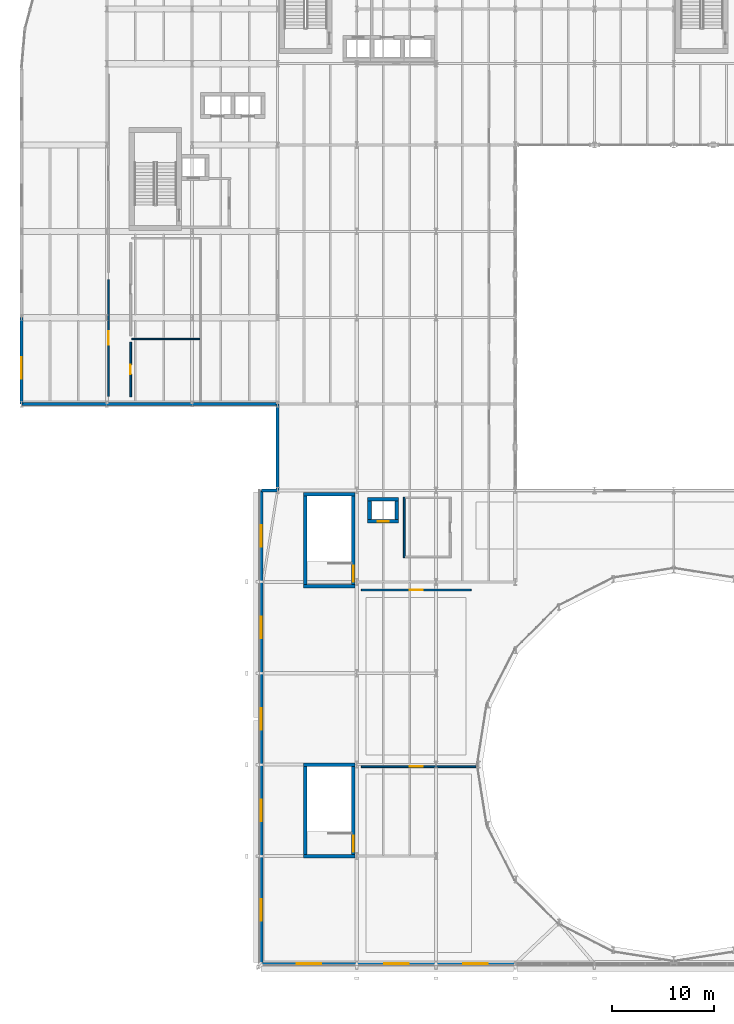
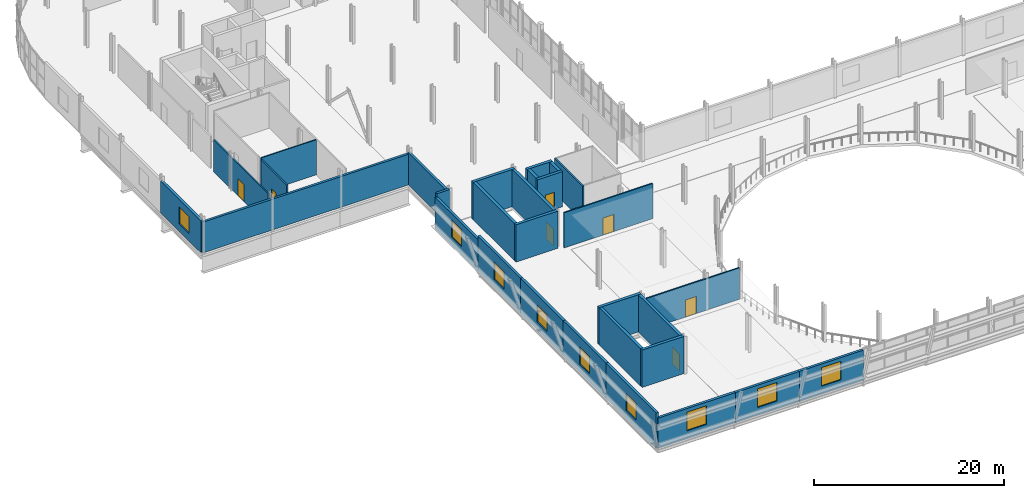
# One storey, part 47 of 63: 30 walls, 9 windows, 7 doors, 16 openings.
"""IFC4 building model written with IfcOpenShell, lengths in metres."""

from ifc_helpers import new_model, si_unit, direction, frame, frame_2d, origin, place, context, subcontext, project, spatial, rectangle, extrude, material, layer, layer_set, type_object, element, fill, save


model = new_model("IFC4")

# Units and contexts
model_context = context("Model", 3, precision=1e-05, world=origin(), true_north=direction((0.0, 1.0)))
body_context = subcontext(model_context, "Body", "Model", "MODEL_VIEW")
ifc_project = project(units=[si_unit("LENGTHUNIT", "METRE"), si_unit("AREAUNIT", "SQUARE_METRE"), si_unit("VOLUMEUNIT", "CUBIC_METRE"), si_unit("PLANEANGLEUNIT", "RADIAN"), si_unit("MASSUNIT", "GRAM", prefix="KILO")], contexts=[model_context])

# Site, building, storey
site_placement = place(None, origin())
site = spatial("IfcSite", under=ifc_project, at=site_placement, CompositionType="ELEMENT")
building_placement = place(site_placement, origin())
building = spatial("IfcBuilding", under=site, at=building_placement, Name="Sefraquen Railside Congress Hotel", CompositionType="ELEMENT")
storey_placement = place(building_placement, frame((0.0, 0.0, 11.39990234375)))
storey = spatial("IfcBuildingStorey", under=building, at=storey_placement, Name="L02", CompositionType="ELEMENT", Elevation=11.39990234375)

# Walls
ifc_material_1 = material(Name="Concrete C50/60", Category="concrete")
ifc_layer_1 = layer(ifc_material_1, 0.35009765625)
ifc_layer_set_1 = layer_set([ifc_layer_1], Name="Concrete C50/60")
wall_type_1 = type_object("IfcWallType", Name="TW-CW-350", PredefinedType="SHEAR", material=ifc_layer_set_1)
for number, where, z_axis, x_axis, name in (
    (1, (27.75, 27.014892578125, 0.0), (0.0, 0.0, 1.0), (1.0, 0.0, 0.0), "Core shear wall ST-C01 N L02"),
    (2, (27.75, 17.985107421875, 0.0), (0.0, 0.0, 1.0), (1.0, 0.0, 0.0), "Core shear wall ST-C01 S L02"),
):
    element("IfcWall", number, at=place(storey_placement, frame(where, z_axis=z_axis, x_axis=x_axis)), inside=storey, type_object=wall_type_1, Name=name, PredefinedType="SHEAR", context=body_context, shape_type="SweptSolid", body=[
        extrude(rectangle(XDim=5.10009765625, YDim=0.35009765625, at=frame_2d((2.550048828125, 0.0))), origin(), (0.0, 0.0, 1.0), 4.800048828125),
    ])
wall_1_placement = place(storey_placement, frame((27.925048828125, 18.159912109375, 0.0), z_axis=(0.0, 0.0, 1.0), x_axis=(0.0, 1.0, 0.0)))
element("IfcWall", 3, at=wall_1_placement, inside=storey, type_object=wall_type_1, Name="Core shear wall ST-C01 W L02", PredefinedType="SHEAR", context=body_context, shape_type="SweptSolid", body=[
    extrude(rectangle(XDim=8.68017578125, YDim=0.35009765625, at=frame_2d((4.340087890625, 0.0))), origin(), (0.0, 0.0, 1.0), 4.800048828125),
])

# Wall, opening, door
wall_2_placement = place(storey_placement, frame((32.675048828125, 18.159912109375, 0.0), z_axis=(0.0, 0.0, 1.0), x_axis=(0.0, 1.0, 0.0)))
wall_2 = element("IfcWall", 4, at=wall_2_placement, inside=storey, type_object=wall_type_1, Name="Core shear wall ST-C01 E L02", PredefinedType="SHEAR", context=body_context, shape_type="SweptSolid", body=[
    extrude(rectangle(XDim=8.68017578125, YDim=0.35009765625, at=frame_2d((4.340087890625, 0.0))), origin(), (0.0, 0.0, 1.0), 4.800048828125),
])
opening_1_placement = place(wall_2_placement, frame((0.25, 0.0, 0.0)))
opening_1 = element("IfcOpeningElement", 5, at=opening_1_placement, cuts=wall_2, Name="Opening FD-02", PredefinedType="OPENING", context=body_context, shape_type="SweptSolid", body=[
    extrude(rectangle(XDim=1.60009765625, YDim=2.199951171875, at=frame_2d((0.800048828125, 1.10009765625))), frame((0.0, 0.18505859375, 0.0), z_axis=(0.0, -1.0, 0.0), x_axis=(1.0, 0.0, 0.0)), (0.0, 0.0, 1.0), 0.3701171875),
])
ifc_material_2 = material(Name="Fire-rated steel", Category="steel")
door_type_1 = type_object("IfcDoorType", Name="TD-FD-02", OperationType="NOTDEFINED", PredefinedType="DOOR", material=ifc_material_2)
door_1_placement = place(opening_1_placement, origin())
door_1 = element("IfcDoor", 6, at=door_1_placement, inside=storey, type_object=door_type_1, Name="Pressurized stair ST-C01 fire door L02", OperationType="SINGLE_SWING_RIGHT", OverallHeight=2.199951171875, OverallWidth=1.60009765625, PredefinedType="DOOR", context=body_context, shape_type="SweptSolid", body=[
    extrude(rectangle(XDim=1.60009765625, YDim=2.199951171875, at=frame_2d((0.800048828125, 1.10009765625))), frame((0.0, 0.02490234375, 0.0), z_axis=(0.0, -1.0, 0.0), x_axis=(1.0, 0.0, 0.0)), (0.0, 0.0, 1.0), 0.050048828125),
])
fill(opening_1, door_1)

# Walls
for number, where, z_axis, x_axis, name in (
    (7, (27.75, 53.60498046875, 0.0), (0.0, 0.0, 1.0), (1.0, 0.0, 0.0), "Core shear wall ST-C02 N L02"),
    (8, (27.75, 44.574951171875, 0.0), (0.0, 0.0, 1.0), (1.0, 0.0, 0.0), "Core shear wall ST-C02 S L02"),
):
    element("IfcWall", number, at=place(storey_placement, frame(where, z_axis=z_axis, x_axis=x_axis)), inside=storey, type_object=wall_type_1, Name=name, PredefinedType="SHEAR", context=body_context, shape_type="SweptSolid", body=[
        extrude(rectangle(XDim=5.10009765625, YDim=0.35009765625, at=frame_2d((2.550048828125, 0.0))), origin(), (0.0, 0.0, 1.0), 4.800048828125),
    ])
wall_3_placement = place(storey_placement, frame((27.925048828125, 44.75, 0.0), z_axis=(0.0, 0.0, 1.0), x_axis=(0.0, 1.0, 0.0)))
element("IfcWall", 9, at=wall_3_placement, inside=storey, type_object=wall_type_1, Name="Core shear wall ST-C02 W L02", PredefinedType="SHEAR", context=body_context, shape_type="SweptSolid", body=[
    extrude(rectangle(XDim=8.679931640625, YDim=0.35009765625, at=frame_2d((4.33984375, 0.0))), origin(), (0.0, 0.0, 1.0), 4.800048828125),
])

# Wall, opening, door
wall_4_placement = place(storey_placement, frame((32.675048828125, 44.75, 0.0), z_axis=(0.0, 0.0, 1.0), x_axis=(0.0, 1.0, 0.0)))
wall_4 = element("IfcWall", 10, at=wall_4_placement, inside=storey, type_object=wall_type_1, Name="Core shear wall ST-C02 E L02", PredefinedType="SHEAR", context=body_context, shape_type="SweptSolid", body=[
    extrude(rectangle(XDim=8.679931640625, YDim=0.35009765625, at=frame_2d((4.33984375, 0.0))), origin(), (0.0, 0.0, 1.0), 4.800048828125),
])
opening_2_placement = place(wall_4_placement, frame((0.25, 0.0, 0.0)))
opening_2 = element("IfcOpeningElement", 11, at=opening_2_placement, cuts=wall_4, Name="Opening FD-02", PredefinedType="OPENING", context=body_context, shape_type="SweptSolid", body=[
    extrude(rectangle(XDim=1.60009765625, YDim=2.199951171875, at=frame_2d((0.800048828125, 1.10009765625))), frame((0.0, 0.18505859375, 0.0), z_axis=(0.0, -1.0, 0.0), x_axis=(1.0, 0.0, 0.0)), (0.0, 0.0, 1.0), 0.3701171875),
])
door_2_placement = place(opening_2_placement, origin())
door_2 = element("IfcDoor", 12, at=door_2_placement, inside=storey, type_object=door_type_1, Name="Pressurized stair ST-C02 fire door L02", OperationType="SINGLE_SWING_RIGHT", OverallHeight=2.199951171875, OverallWidth=1.60009765625, PredefinedType="DOOR", context=body_context, shape_type="SweptSolid", body=[
    extrude(rectangle(XDim=1.60009765625, YDim=2.199951171875, at=frame_2d((0.800048828125, 1.10009765625))), frame((0.0, 0.02490234375, 0.0), z_axis=(0.0, -1.0, 0.0), x_axis=(1.0, 0.0, 0.0)), (0.0, 0.0, 1.0), 0.050048828125),
])
fill(opening_2, door_2)

# Wall
wall_5_placement = place(storey_placement, frame((34.080078125, 53.14501953125, 0.0), z_axis=(0.0, 0.0, 1.0), x_axis=(1.0, 0.0, 0.0)))
element("IfcWall", 13, at=wall_5_placement, inside=storey, type_object=wall_type_1, Name="Lift PL-08 shaft wall N L02", PredefinedType="SHEAR", context=body_context, shape_type="SweptSolid", body=[
    extrude(rectangle(XDim=3.0400390625, YDim=0.35009765625, at=frame_2d((1.52001953125, 0.0))), origin(), (0.0, 0.0, 1.0), 4.52001953125),
])

# Wall, opening, door
wall_6_placement = place(storey_placement, frame((34.080078125, 50.955078125, 0.0), z_axis=(0.0, 0.0, 1.0), x_axis=(1.0, 0.0, 0.0)))
wall_6 = element("IfcWall", 14, at=wall_6_placement, inside=storey, type_object=wall_type_1, Name="Lift PL-08 shaft wall S L02", PredefinedType="SHEAR", context=body_context, shape_type="SweptSolid", body=[
    extrude(rectangle(XDim=3.0400390625, YDim=0.35009765625, at=frame_2d((1.52001953125, 0.0))), origin(), (0.0, 0.0, 1.0), 4.52001953125),
])
opening_3_placement = place(wall_6_placement, frame((0.969970703125, 0.0, 0.0)))
opening_3 = element("IfcOpeningElement", 15, at=opening_3_placement, cuts=wall_6, Name="Opening LD-01", PredefinedType="OPENING", context=body_context, shape_type="SweptSolid", body=[
    extrude(rectangle(XDim=1.10009765625, YDim=2.199951171875, at=frame_2d((0.550048828125, 1.10009765625))), frame((0.0, 0.18505859375, 0.0), z_axis=(0.0, -1.0, 0.0), x_axis=(1.0, 0.0, 0.0)), (0.0, 0.0, 1.0), 0.3701171875),
])
ifc_material_3 = material(Name="Brushed bronze stainless steel", Category="steel")
door_type_2 = type_object("IfcDoorType", Name="TD-LD-01", OperationType="NOTDEFINED", PredefinedType="DOOR", material=ifc_material_3)
door_3_placement = place(opening_3_placement, origin())
door_3 = element("IfcDoor", 16, at=door_3_placement, inside=storey, type_object=door_type_2, Name="Lift landing door PL-08 L02", OperationType="SLIDING_TO_LEFT", OverallHeight=2.199951171875, OverallWidth=1.10009765625, PredefinedType="DOOR", context=body_context, shape_type="SweptSolid", body=[
    extrude(rectangle(XDim=1.10009765625, YDim=2.199951171875, at=frame_2d((0.550048828125, 1.10009765625))), frame((0.0, 0.02490234375, 0.0), z_axis=(0.0, -1.0, 0.0), x_axis=(1.0, 0.0, 0.0)), (0.0, 0.0, 1.0), 0.050048828125),
])
fill(opening_3, door_3)

# Walls
for number, where, z_axis, x_axis, name in (
    (17, (34.2548828125, 51.1298828125, 0.0), (0.0, 0.0, 1.0), (0.0, 1.0, 0.0), "Lift PL-08 shaft wall W L02"),
    (18, (36.945068359375, 51.1298828125, 0.0), (0.0, 0.0, 1.0), (0.0, 1.0, 0.0), "Lift PL-08 shaft wall E L02"),
):
    element("IfcWall", number, at=place(storey_placement, frame(where, z_axis=z_axis, x_axis=x_axis)), inside=storey, type_object=wall_type_1, Name=name, PredefinedType="SHEAR", context=body_context, shape_type="SweptSolid", body=[
        extrude(rectangle(XDim=1.840087890625, YDim=0.35009765625, at=frame_2d((0.919921875, 0.0))), origin(), (0.0, 0.0, 1.0), 4.52001953125),
    ])
ifc_material_4 = material(Name="Ochre Rabat calcarenite limestone and Concrete C40/50 backing", Category="masonry")
ifc_layer_2 = layer(ifc_material_4, 0.280029296875)
ifc_layer_set_2 = layer_set([ifc_layer_2], Name="Ochre Rabat calcarenite limestone and Concrete C40/50 backing")
wall_type_2 = type_object("IfcWallType", Name="TW-EW-280", PredefinedType="STANDARD", material=ifc_layer_set_2)
wall_7_placement = place(storey_placement, frame((0.0, 62.5, 0.0), z_axis=(0.0, 0.0, 1.0), x_axis=(1.0, 0.0, 0.0)))
element("IfcWall", 19, at=wall_7_placement, inside=storey, type_object=wall_type_2, Name="Hotel L02 south-west return wall", PredefinedType="STANDARD", context=body_context, shape_type="SweptSolid", body=[
    extrude(rectangle(XDim=25.199951171875, YDim=0.280029296875, at=frame_2d((12.60009765625, 0.0))), origin(), (0.0, 0.0, 1.0), 3.960205078125),
])

# Wall, opening, window
ifc_layer_3 = layer(ifc_material_4, 0.300048828125)
ifc_layer_set_3 = layer_set([ifc_layer_3], Name="Ochre Rabat calcarenite limestone and Concrete C40/50 backing")
wall_type_3 = type_object("IfcWallType", Name="TW-EW-300", PredefinedType="STANDARD", material=ifc_layer_set_3)
wall_8_placement = place(storey_placement, frame((23.600341796875, 7.400390625, 0.0), z_axis=(0.0, 0.0, 1.0), x_axis=(1.0, 0.0, 0.0)))
wall_8 = element("IfcWall", 20, at=wall_8_placement, inside=storey, type_object=wall_type_3, Name="Congress Hall L02 south spandrel wall 1", PredefinedType="STANDARD", context=body_context, shape_type="SweptSolid", body=[
    extrude(rectangle(XDim=9.399658203125, YDim=0.300048828125, at=frame_2d((4.69970703125, 0.0))), origin(), (0.0, 0.0, 1.0), 3.91015625),
])
opening_4_placement = place(wall_8_placement, frame((3.5, 0.0, 1.050048828125)))
opening_4 = element("IfcOpeningElement", 21, at=opening_4_placement, cuts=wall_8, Name="Opening WN-09", PredefinedType="OPENING", context=body_context, shape_type="SweptSolid", body=[
    extrude(rectangle(XDim=2.39990234375, YDim=2.39990234375, at=frame_2d((1.199951171875, 1.199951171875))), frame((0.0, 0.159912109375, 0.0), z_axis=(0.0, -1.0, 0.0), x_axis=(1.0, 0.0, 0.0)), (0.0, 0.0, 1.0), 0.320068359375),
])
ifc_material_5 = material(Name="Solar-control low-E double glazing in bronze-anodised frame", Category="glass")
window_type_1 = type_object("IfcWindowType", Name="TWN-W-09", PartitioningType="DOUBLE_PANEL_VERTICAL", PredefinedType="WINDOW", material=ifc_material_5)
window_1_placement = place(opening_4_placement, origin())
window_1 = element("IfcWindow", 22, at=window_1_placement, inside=storey, type_object=window_type_1, Name="Congress south arched window L02-1", OverallHeight=2.39990234375, OverallWidth=2.39990234375, PartitioningType="DOUBLE_PANEL_VERTICAL", PredefinedType="WINDOW", context=body_context, shape_type="SweptSolid", body=[
    extrude(rectangle(XDim=2.39990234375, YDim=2.39990234375, at=frame_2d((1.199951171875, 1.199951171875))), frame((0.0, 0.030029296875, 0.0), z_axis=(0.0, -1.0, 0.0), x_axis=(1.0, 0.0, 0.0)), (0.0, 0.0, 1.0), 0.06005859375),
])
fill(opening_4, window_1)

wall_9_placement = place(storey_placement, frame((33.0, 7.400390625, 0.0), z_axis=(0.0, 0.0, 1.0), x_axis=(1.0, 0.0, 0.0)))
wall_9 = element("IfcWall", 23, at=wall_9_placement, inside=storey, type_object=wall_type_3, Name="Congress Hall L02 south spandrel wall 2", PredefinedType="STANDARD", context=body_context, shape_type="SweptSolid", body=[
    extrude(rectangle(XDim=7.800048828125, YDim=0.300048828125, at=frame_2d((3.89990234375, 0.0))), origin(), (0.0, 0.0, 1.0), 3.91015625),
])
opening_5_placement = place(wall_9_placement, frame((2.699951171875, 0.0, 1.050048828125)))
opening_5 = element("IfcOpeningElement", 24, at=opening_5_placement, cuts=wall_9, Name="Opening WN-09", PredefinedType="OPENING", context=body_context, shape_type="SweptSolid", body=[
    extrude(rectangle(XDim=2.39990234375, YDim=2.39990234375, at=frame_2d((1.199951171875, 1.199951171875))), frame((0.0, 0.159912109375, 0.0), z_axis=(0.0, -1.0, 0.0), x_axis=(1.0, 0.0, 0.0)), (0.0, 0.0, 1.0), 0.320068359375),
])
window_2_placement = place(opening_5_placement, origin())
window_2 = element("IfcWindow", 25, at=window_2_placement, inside=storey, type_object=window_type_1, Name="Congress south arched window L02-2", OverallHeight=2.39990234375, OverallWidth=2.39990234375, PartitioningType="DOUBLE_PANEL_VERTICAL", PredefinedType="WINDOW", context=body_context, shape_type="SweptSolid", body=[
    extrude(rectangle(XDim=2.39990234375, YDim=2.39990234375, at=frame_2d((1.199951171875, 1.199951171875))), frame((0.0, 0.030029296875, 0.0), z_axis=(0.0, -1.0, 0.0), x_axis=(1.0, 0.0, 0.0)), (0.0, 0.0, 1.0), 0.06005859375),
])
fill(opening_5, window_2)

wall_10_placement = place(storey_placement, frame((40.800048828125, 7.400390625, 0.0), z_axis=(0.0, 0.0, 1.0), x_axis=(1.0, 0.0, 0.0)))
wall_10 = element("IfcWall", 26, at=wall_10_placement, inside=storey, type_object=wall_type_3, Name="Congress Hall L02 south spandrel wall 3", PredefinedType="STANDARD", context=body_context, shape_type="SweptSolid", body=[
    extrude(rectangle(XDim=7.800048828125, YDim=0.300048828125, at=frame_2d((3.89990234375, 0.0))), origin(), (0.0, 0.0, 1.0), 3.91015625),
])
opening_6_placement = place(wall_10_placement, frame((2.699951171875, 0.0, 1.050048828125)))
opening_6 = element("IfcOpeningElement", 27, at=opening_6_placement, cuts=wall_10, Name="Opening WN-09", PredefinedType="OPENING", context=body_context, shape_type="SweptSolid", body=[
    extrude(rectangle(XDim=2.39990234375, YDim=2.39990234375, at=frame_2d((1.199951171875, 1.199951171875))), frame((0.0, 0.159912109375, 0.0), z_axis=(0.0, -1.0, 0.0), x_axis=(1.0, 0.0, 0.0)), (0.0, 0.0, 1.0), 0.320068359375),
])
window_3_placement = place(opening_6_placement, origin())
window_3 = element("IfcWindow", 28, at=window_3_placement, inside=storey, type_object=window_type_1, Name="Congress south arched window L02-3", OverallHeight=2.39990234375, OverallWidth=2.39990234375, PartitioningType="DOUBLE_PANEL_VERTICAL", PredefinedType="WINDOW", context=body_context, shape_type="SweptSolid", body=[
    extrude(rectangle(XDim=2.39990234375, YDim=2.39990234375, at=frame_2d((1.199951171875, 1.199951171875))), frame((0.0, 0.030029296875, 0.0), z_axis=(0.0, -1.0, 0.0), x_axis=(1.0, 0.0, 0.0)), (0.0, 0.0, 1.0), 0.06005859375),
])
fill(opening_6, window_3)

wall_11_placement = place(storey_placement, frame((23.600341796875, 7.400390625, 0.0), z_axis=(0.0, 0.0, 1.0), x_axis=(0.0, 1.0, 0.0)))
wall_11 = element("IfcWall", 29, at=wall_11_placement, inside=storey, type_object=wall_type_3, Name="Congress Hall L02 west facade wall 1", PredefinedType="STANDARD", context=body_context, shape_type="SweptSolid", body=[
    extrude(rectangle(XDim=10.599609375, YDim=0.300048828125, at=frame_2d((5.2998046875, 0.0))), origin(), (0.0, 0.0, 1.0), 4.5400390625),
])
opening_7_placement = place(wall_11_placement, frame((4.25, 0.0, 1.050048828125)))
opening_7 = element("IfcOpeningElement", 30, at=opening_7_placement, cuts=wall_11, Name="Opening WN-07", PredefinedType="OPENING", context=body_context, shape_type="SweptSolid", body=[
    extrude(rectangle(XDim=2.10009765625, YDim=2.199951171875, at=frame_2d((1.050048828125, 1.10009765625))), frame((0.0, 0.159912109375, 0.0), z_axis=(0.0, -1.0, 0.0), x_axis=(1.0, 0.0, 0.0)), (0.0, 0.0, 1.0), 0.320068359375),
])
window_type_2 = type_object("IfcWindowType", Name="TWN-W-07", PartitioningType="DOUBLE_PANEL_VERTICAL", PredefinedType="WINDOW", material=ifc_material_5)
window_4_placement = place(opening_7_placement, origin())
window_4 = element("IfcWindow", 31, at=window_4_placement, inside=storey, type_object=window_type_2, Name="Congress west arched window L02-1", OverallHeight=2.199951171875, OverallWidth=2.10009765625, PartitioningType="DOUBLE_PANEL_VERTICAL", PredefinedType="WINDOW", context=body_context, shape_type="SweptSolid", body=[
    extrude(rectangle(XDim=2.10009765625, YDim=2.199951171875, at=frame_2d((1.050048828125, 1.10009765625))), frame((0.0, 0.030029296875, 0.0), z_axis=(0.0, -1.0, 0.0), x_axis=(1.0, 0.0, 0.0)), (0.0, 0.0, 1.0), 0.06005859375),
])
fill(opening_7, window_4)

wall_12_placement = place(storey_placement, frame((23.600341796875, 18.0, 0.0), z_axis=(0.0, 0.0, 1.0), x_axis=(0.0, 1.0, 0.0)))
wall_12 = element("IfcWall", 32, at=wall_12_placement, inside=storey, type_object=wall_type_3, Name="Congress Hall L02 west facade wall 2", PredefinedType="STANDARD", context=body_context, shape_type="SweptSolid", body=[
    extrude(rectangle(XDim=9.0, YDim=0.300048828125, at=frame_2d((4.5, 0.0))), origin(), (0.0, 0.0, 1.0), 4.5400390625),
])
opening_8_placement = place(wall_12_placement, frame((3.449951171875, 0.0, 1.050048828125)))
opening_8 = element("IfcOpeningElement", 33, at=opening_8_placement, cuts=wall_12, Name="Opening WN-07", PredefinedType="OPENING", context=body_context, shape_type="SweptSolid", body=[
    extrude(rectangle(XDim=2.10009765625, YDim=2.199951171875, at=frame_2d((1.050048828125, 1.10009765625))), frame((0.0, 0.159912109375, 0.0), z_axis=(0.0, -1.0, 0.0), x_axis=(1.0, 0.0, 0.0)), (0.0, 0.0, 1.0), 0.320068359375),
])
window_5_placement = place(opening_8_placement, origin())
window_5 = element("IfcWindow", 34, at=window_5_placement, inside=storey, type_object=window_type_2, Name="Congress west arched window L02-2", OverallHeight=2.199951171875, OverallWidth=2.10009765625, PartitioningType="DOUBLE_PANEL_VERTICAL", PredefinedType="WINDOW", context=body_context, shape_type="SweptSolid", body=[
    extrude(rectangle(XDim=2.10009765625, YDim=2.199951171875, at=frame_2d((1.050048828125, 1.10009765625))), frame((0.0, 0.030029296875, 0.0), z_axis=(0.0, -1.0, 0.0), x_axis=(1.0, 0.0, 0.0)), (0.0, 0.0, 1.0), 0.06005859375),
])
fill(opening_8, window_5)

wall_13_placement = place(storey_placement, frame((23.600341796875, 27.0, 0.0), z_axis=(0.0, 0.0, 1.0), x_axis=(0.0, 1.0, 0.0)))
wall_13 = element("IfcWall", 35, at=wall_13_placement, inside=storey, type_object=wall_type_3, Name="Congress Hall L02 west facade wall 3", PredefinedType="STANDARD", context=body_context, shape_type="SweptSolid", body=[
    extrude(rectangle(XDim=9.0, YDim=0.300048828125, at=frame_2d((4.5, 0.0))), origin(), (0.0, 0.0, 1.0), 4.5400390625),
])
opening_9_placement = place(wall_13_placement, frame((3.449951171875, 0.0, 1.050048828125)))
opening_9 = element("IfcOpeningElement", 36, at=opening_9_placement, cuts=wall_13, Name="Opening WN-07", PredefinedType="OPENING", context=body_context, shape_type="SweptSolid", body=[
    extrude(rectangle(XDim=2.10009765625, YDim=2.199951171875, at=frame_2d((1.050048828125, 1.10009765625))), frame((0.0, 0.159912109375, 0.0), z_axis=(0.0, -1.0, 0.0), x_axis=(1.0, 0.0, 0.0)), (0.0, 0.0, 1.0), 0.320068359375),
])
window_6_placement = place(opening_9_placement, origin())
window_6 = element("IfcWindow", 37, at=window_6_placement, inside=storey, type_object=window_type_2, Name="Congress west arched window L02-3", OverallHeight=2.199951171875, OverallWidth=2.10009765625, PartitioningType="DOUBLE_PANEL_VERTICAL", PredefinedType="WINDOW", context=body_context, shape_type="SweptSolid", body=[
    extrude(rectangle(XDim=2.10009765625, YDim=2.199951171875, at=frame_2d((1.050048828125, 1.10009765625))), frame((0.0, 0.030029296875, 0.0), z_axis=(0.0, -1.0, 0.0), x_axis=(1.0, 0.0, 0.0)), (0.0, 0.0, 1.0), 0.06005859375),
])
fill(opening_9, window_6)

wall_14_placement = place(storey_placement, frame((23.600341796875, 36.0, 0.0), z_axis=(0.0, 0.0, 1.0), x_axis=(0.0, 1.0, 0.0)))
wall_14 = element("IfcWall", 38, at=wall_14_placement, inside=storey, type_object=wall_type_3, Name="Congress Hall L02 west facade wall 4", PredefinedType="STANDARD", context=body_context, shape_type="SweptSolid", body=[
    extrude(rectangle(XDim=9.0, YDim=0.300048828125, at=frame_2d((4.5, 0.0))), origin(), (0.0, 0.0, 1.0), 4.5400390625),
])
opening_10_placement = place(wall_14_placement, frame((3.449951171875, 0.0, 1.050048828125)))
opening_10 = element("IfcOpeningElement", 39, at=opening_10_placement, cuts=wall_14, Name="Opening WN-07", PredefinedType="OPENING", context=body_context, shape_type="SweptSolid", body=[
    extrude(rectangle(XDim=2.10009765625, YDim=2.199951171875, at=frame_2d((1.050048828125, 1.10009765625))), frame((0.0, 0.159912109375, 0.0), z_axis=(0.0, -1.0, 0.0), x_axis=(1.0, 0.0, 0.0)), (0.0, 0.0, 1.0), 0.320068359375),
])
window_7_placement = place(opening_10_placement, origin())
window_7 = element("IfcWindow", 40, at=window_7_placement, inside=storey, type_object=window_type_2, Name="Congress west arched window L02-4", OverallHeight=2.199951171875, OverallWidth=2.10009765625, PartitioningType="DOUBLE_PANEL_VERTICAL", PredefinedType="WINDOW", context=body_context, shape_type="SweptSolid", body=[
    extrude(rectangle(XDim=2.10009765625, YDim=2.199951171875, at=frame_2d((1.050048828125, 1.10009765625))), frame((0.0, 0.030029296875, 0.0), z_axis=(0.0, -1.0, 0.0), x_axis=(1.0, 0.0, 0.0)), (0.0, 0.0, 1.0), 0.06005859375),
])
fill(opening_10, window_7)

wall_15_placement = place(storey_placement, frame((23.600341796875, 45.0, 0.0), z_axis=(0.0, 0.0, 1.0), x_axis=(0.0, 1.0, 0.0)))
wall_15 = element("IfcWall", 41, at=wall_15_placement, inside=storey, type_object=wall_type_3, Name="Congress Hall L02 west facade wall 5", PredefinedType="STANDARD", context=body_context, shape_type="SweptSolid", body=[
    extrude(rectangle(XDim=9.0, YDim=0.300048828125, at=frame_2d((4.5, 0.0))), origin(), (0.0, 0.0, 1.0), 4.06005859375),
])
opening_11_placement = place(wall_15_placement, frame((3.449951171875, 0.0, 1.050048828125)))
opening_11 = element("IfcOpeningElement", 42, at=opening_11_placement, cuts=wall_15, Name="Opening WN-07", PredefinedType="OPENING", context=body_context, shape_type="SweptSolid", body=[
    extrude(rectangle(XDim=2.10009765625, YDim=2.199951171875, at=frame_2d((1.050048828125, 1.10009765625))), frame((0.0, 0.159912109375, 0.0), z_axis=(0.0, -1.0, 0.0), x_axis=(1.0, 0.0, 0.0)), (0.0, 0.0, 1.0), 0.320068359375),
])
window_8_placement = place(opening_11_placement, origin())
window_8 = element("IfcWindow", 43, at=window_8_placement, inside=storey, type_object=window_type_2, Name="Congress west arched window L02-5", OverallHeight=2.199951171875, OverallWidth=2.10009765625, PartitioningType="DOUBLE_PANEL_VERTICAL", PredefinedType="WINDOW", context=body_context, shape_type="SweptSolid", body=[
    extrude(rectangle(XDim=2.10009765625, YDim=2.199951171875, at=frame_2d((1.050048828125, 1.10009765625))), frame((0.0, 0.030029296875, 0.0), z_axis=(0.0, -1.0, 0.0), x_axis=(1.0, 0.0, 0.0)), (0.0, 0.0, 1.0), 0.06005859375),
])
fill(opening_11, window_8)

# Walls
wall_16_placement = place(storey_placement, frame((25.199951171875, 54.0, 0.0), z_axis=(0.0, 0.0, 1.0), x_axis=(0.0, 1.0, 0.0)))
element("IfcWall", 44, at=wall_16_placement, inside=storey, type_object=wall_type_3, Name="West Foyer L02 forecourt wall", PredefinedType="STANDARD", context=body_context, shape_type="SweptSolid", body=[
    extrude(rectangle(XDim=8.5, YDim=0.300048828125, at=frame_2d((4.25, 0.0))), origin(), (0.0, 0.0, 1.0), 4.110107421875),
])
wall_17_placement = place(storey_placement, frame((23.600341796875, 54.0, 0.0), z_axis=(0.0, 0.0, 1.0), x_axis=(1.0, 0.0, 0.0)))
element("IfcWall", 45, at=wall_17_placement, inside=storey, type_object=wall_type_3, Name="Congress L02 leaning-hull north return wall", PredefinedType="STANDARD", context=body_context, shape_type="SweptSolid", body=[
    extrude(rectangle(XDim=1.599609375, YDim=0.300048828125, at=frame_2d((0.7998046875, 0.0))), origin(), (0.0, 0.0, 1.0), 4.5400390625),
])

# Wall, opening, window
wall_18_placement = place(storey_placement, frame((0.0, 62.5, 0.0), z_axis=(0.0, 0.0, 1.0), x_axis=(0.0, 1.0, 0.0)))
wall_18 = element("IfcWall", 46, at=wall_18_placement, inside=storey, type_object=wall_type_3, Name="Hotel L02 West Forecourt facade wall", PredefinedType="STANDARD", context=body_context, shape_type="SweptSolid", body=[
    extrude(rectangle(XDim=8.5, YDim=0.300048828125, at=frame_2d((4.25, 0.0))), origin(), (0.0, 0.0, 1.0), 4.110107421875),
])
opening_12_placement = place(wall_18_placement, frame((2.5, 0.0, 0.949951171875)))
opening_12 = element("IfcOpeningElement", 47, at=opening_12_placement, cuts=wall_18, Name="Opening WN-07", PredefinedType="OPENING", context=body_context, shape_type="SweptSolid", body=[
    extrude(rectangle(XDim=2.10009765625, YDim=2.199951171875, at=frame_2d((1.050048828125, 1.10009765625))), frame((0.0, 0.159912109375, 0.0), z_axis=(0.0, -1.0, 0.0), x_axis=(1.0, 0.0, 0.0)), (0.0, 0.0, 1.0), 0.320068359375),
])
window_9_placement = place(opening_12_placement, origin())
window_9 = element("IfcWindow", 48, at=window_9_placement, inside=storey, type_object=window_type_2, Name="Hotel L02 west window", OverallHeight=2.199951171875, OverallWidth=2.10009765625, PartitioningType="DOUBLE_PANEL_VERTICAL", PredefinedType="WINDOW", context=body_context, shape_type="SweptSolid", body=[
    extrude(rectangle(XDim=2.10009765625, YDim=2.199951171875, at=frame_2d((1.050048828125, 1.10009765625))), frame((0.0, 0.030029296875, 0.0), z_axis=(0.0, -1.0, 0.0), x_axis=(1.0, 0.0, 0.0)), (0.0, 0.0, 1.0), 0.06005859375),
])
fill(opening_12, window_9)

# Wall
ifc_material_6 = material(Name="Moisture-resistant gypsum board", Category="gypsum")
ifc_layer_4 = layer(ifc_material_6, 0.139892578125)
ifc_layer_set_4 = layer_set([ifc_layer_4], Name="Moisture-resistant gypsum board")
wall_type_4 = type_object("IfcWallType", Name="TW-PW-140", PredefinedType="PARTITIONING", material=ifc_layer_set_4)
wall_19_placement = place(storey_placement, frame((10.830078125, 68.89990234375, 0.0), z_axis=(0.0, 0.0, 1.0), x_axis=(1.0, 0.0, 0.0)))
element("IfcWall", 49, at=wall_19_placement, inside=storey, type_object=wall_type_4, Name="Hotel L02 accessible and staff WC dividing partition", PredefinedType="PARTITIONING", context=body_context, shape_type="SweptSolid", body=[
    extrude(rectangle(XDim=6.719970703125, YDim=0.139892578125, at=frame_2d((3.35986328125, 0.0))), origin(), (0.0, 0.0, 1.0), 4.52001953125),
])

# Wall, opening, door
ifc_layer_5 = layer(ifc_material_6, 0.159912109375)
ifc_layer_set_5 = layer_set([ifc_layer_5], Name="Moisture-resistant gypsum board")
wall_type_5 = type_object("IfcWallType", Name="TW-PW-160", PredefinedType="PARTITIONING", material=ifc_layer_set_5)
wall_20_placement = place(storey_placement, frame((33.449951171875, 26.800048828125, 0.0), z_axis=(0.0, 0.0, 1.0), x_axis=(1.0, 0.0, 0.0)))
wall_20 = element("IfcWall", 50, at=wall_20_placement, inside=storey, type_object=wall_type_5, Name="International Press Briefing Centre enclosure wall", PredefinedType="PARTITIONING", context=body_context, shape_type="SweptSolid", body=[
    extrude(rectangle(XDim=11.300048828125, YDim=0.159912109375, at=frame_2d((5.64990234375, 0.0))), origin(), (0.0, 0.0, 1.0), 4.06005859375),
])
opening_13_placement = place(wall_20_placement, frame((4.75, 0.0, 0.0)))
opening_13 = element("IfcOpeningElement", 51, at=opening_13_placement, cuts=wall_20, Name="Opening MD-02", PredefinedType="OPENING", context=body_context, shape_type="SweptSolid", body=[
    extrude(rectangle(XDim=1.300048828125, YDim=2.199951171875, at=frame_2d((0.64990234375, 1.10009765625))), frame((0.0, 0.08984375, 0.0), z_axis=(0.0, -1.0, 0.0), x_axis=(1.0, 0.0, 0.0)), (0.0, 0.0, 1.0), 0.179931640625),
])
ifc_material_7 = material(Name="Acoustic cedar veneer", Category="wood")
door_type_3 = type_object("IfcDoorType", Name="TD-MD-02", OperationType="NOTDEFINED", PredefinedType="DOOR", material=ifc_material_7)
door_4_placement = place(opening_13_placement, origin())
door_4 = element("IfcDoor", 52, at=door_4_placement, inside=storey, type_object=door_type_3, Name="International Press Briefing Centre entrance door", OperationType="SINGLE_SWING_RIGHT", OverallHeight=2.199951171875, OverallWidth=1.300048828125, PredefinedType="DOOR", context=body_context, shape_type="SweptSolid", body=[
    extrude(rectangle(XDim=1.300048828125, YDim=2.199951171875, at=frame_2d((0.64990234375, 1.10009765625))), frame((0.0, 0.02490234375, 0.0), z_axis=(0.0, -1.0, 0.0), x_axis=(1.0, 0.0, 0.0)), (0.0, 0.0, 1.0), 0.050048828125),
])
fill(opening_13, door_4)

wall_21_placement = place(storey_placement, frame((33.449951171875, 44.199951171875, 0.0), z_axis=(0.0, 0.0, 1.0), x_axis=(1.0, 0.0, 0.0)))
wall_21 = element("IfcWall", 53, at=wall_21_placement, inside=storey, type_object=wall_type_5, Name="Broadcast Control Room 01 enclosure wall", PredefinedType="PARTITIONING", context=body_context, shape_type="SweptSolid", body=[
    extrude(rectangle(XDim=10.800048828125, YDim=0.159912109375, at=frame_2d((5.39990234375, 0.0))), origin(), (0.0, 0.0, 1.0), 4.52001953125),
])
opening_14_placement = place(wall_21_placement, frame((4.75, 0.0, 0.0)))
opening_14 = element("IfcOpeningElement", 54, at=opening_14_placement, cuts=wall_21, Name="Opening MD-02", PredefinedType="OPENING", context=body_context, shape_type="SweptSolid", body=[
    extrude(rectangle(XDim=1.300048828125, YDim=2.199951171875, at=frame_2d((0.64990234375, 1.10009765625))), frame((0.0, 0.08984375, 0.0), z_axis=(0.0, -1.0, 0.0), x_axis=(1.0, 0.0, 0.0)), (0.0, 0.0, 1.0), 0.179931640625),
])
door_5_placement = place(opening_14_placement, origin())
door_5 = element("IfcDoor", 55, at=door_5_placement, inside=storey, type_object=door_type_3, Name="Broadcast Control Room 01 entrance door", OperationType="SINGLE_SWING_LEFT", OverallHeight=2.199951171875, OverallWidth=1.300048828125, PredefinedType="DOOR", context=body_context, shape_type="SweptSolid", body=[
    extrude(rectangle(XDim=1.300048828125, YDim=2.199951171875, at=frame_2d((0.64990234375, 1.10009765625))), frame((0.0, 0.02490234375, 0.0), z_axis=(0.0, -1.0, 0.0), x_axis=(1.0, 0.0, 0.0)), (0.0, 0.0, 1.0), 0.050048828125),
])
fill(opening_14, door_5)

wall_22_placement = place(storey_placement, frame((8.550048828125, 63.25, 0.0), z_axis=(0.0, 0.0, 1.0), x_axis=(0.0, 1.0, 0.0)))
wall_22 = element("IfcWall", 56, at=wall_22_placement, inside=storey, type_object=wall_type_5, Name="Workshop Suite 01 enclosure wall", PredefinedType="PARTITIONING", context=body_context, shape_type="SweptSolid", body=[
    extrude(rectangle(XDim=11.5, YDim=0.159912109375, at=frame_2d((5.75, 0.0))), origin(), (0.0, 0.0, 1.0), 4.110107421875),
])
opening_15_placement = place(wall_22_placement, frame((5.10009765625, 0.0, 0.0)))
opening_15 = element("IfcOpeningElement", 57, at=opening_15_placement, cuts=wall_22, Name="Opening MD-02", PredefinedType="OPENING", context=body_context, shape_type="SweptSolid", body=[
    extrude(rectangle(XDim=1.300048828125, YDim=2.199951171875, at=frame_2d((0.64990234375, 1.10009765625))), frame((0.0, 0.08984375, 0.0), z_axis=(0.0, -1.0, 0.0), x_axis=(1.0, 0.0, 0.0)), (0.0, 0.0, 1.0), 0.179931640625),
])
door_6_placement = place(opening_15_placement, origin())
door_6 = element("IfcDoor", 58, at=door_6_placement, inside=storey, type_object=door_type_3, Name="Workshop Suite 01 entrance door", OperationType="SINGLE_SWING_RIGHT", OverallHeight=2.199951171875, OverallWidth=1.300048828125, PredefinedType="DOOR", context=body_context, shape_type="SweptSolid", body=[
    extrude(rectangle(XDim=1.300048828125, YDim=2.199951171875, at=frame_2d((0.64990234375, 1.10009765625))), frame((0.0, 0.02490234375, 0.0), z_axis=(0.0, -1.0, 0.0), x_axis=(1.0, 0.0, 0.0)), (0.0, 0.0, 1.0), 0.050048828125),
])
fill(opening_15, door_6)

wall_23_placement = place(storey_placement, frame((10.75, 63.199951171875, 0.0), z_axis=(0.0, 0.0, 1.0), x_axis=(0.0, 1.0, 0.0)))
wall_23 = element("IfcWall", 59, at=wall_23_placement, inside=storey, type_object=wall_type_5, Name="Hotel L02 Public Accessible WC enclosure wall", PredefinedType="PARTITIONING", context=body_context, shape_type="SweptSolid", body=[
    extrude(rectangle(XDim=5.400146484375, YDim=0.159912109375, at=frame_2d((2.7001953125, 0.0))), origin(), (0.0, 0.0, 1.0), 4.52001953125),
])
opening_16_placement = place(wall_23_placement, frame((2.22998046875, 0.0, 0.0)))
opening_16 = element("IfcOpeningElement", 60, at=opening_16_placement, cuts=wall_23, Name="Opening ID-01", PredefinedType="OPENING", context=body_context, shape_type="SweptSolid", body=[
    extrude(rectangle(XDim=0.93994140625, YDim=2.14990234375, at=frame_2d((0.469970703125, 1.074951171875))), frame((0.0, 0.08984375, 0.0), z_axis=(0.0, -1.0, 0.0), x_axis=(1.0, 0.0, 0.0)), (0.0, 0.0, 1.0), 0.179931640625),
])
ifc_material_8 = material(Name="Lacquered cedar joinery", Category="wood")
door_type_4 = type_object("IfcDoorType", Name="TD-ID-01", OperationType="NOTDEFINED", PredefinedType="DOOR", material=ifc_material_8)
door_7_placement = place(opening_16_placement, origin())
door_7 = element("IfcDoor", 61, at=door_7_placement, inside=storey, type_object=door_type_4, Name="Hotel L02 Public Accessible WC entrance door", OperationType="SINGLE_SWING_RIGHT", OverallHeight=2.14990234375, OverallWidth=0.93994140625, PredefinedType="DOOR", context=body_context, shape_type="SweptSolid", body=[
    extrude(rectangle(XDim=0.93994140625, YDim=2.14990234375, at=frame_2d((0.469970703125, 1.074951171875))), frame((0.0, 0.02490234375, 0.0), z_axis=(0.0, -1.0, 0.0), x_axis=(1.0, 0.0, 0.0)), (0.0, 0.0, 1.0), 0.050048828125),
])
fill(opening_16, door_7)

# Wall
ifc_material_9 = material(Name="Acoustic gypsum board on metal stud", Category="gypsum")
ifc_layer_6 = layer(ifc_material_9, 0.179931640625)
ifc_layer_set_6 = layer_set([ifc_layer_6], Name="Acoustic gypsum board on metal stud")
wall_type_6 = type_object("IfcWallType", Name="TW-PW-180", PredefinedType="PARTITIONING", material=ifc_layer_set_6)
wall_24_placement = place(storey_placement, frame((37.679931640625, 47.389892578125, 0.0), z_axis=(0.0, 0.0, 1.0), x_axis=(0.0, 1.0, 0.0)))
element("IfcWall", 62, at=wall_24_placement, inside=storey, type_object=wall_type_6, Name="Congress L02 accessible WC west enclosure partition", PredefinedType="PARTITIONING", context=body_context, shape_type="SweptSolid", body=[
    extrude(rectangle(XDim=5.960205078125, YDim=0.179931640625, at=frame_2d((2.97998046875, 0.0))), origin(), (0.0, 0.0, 1.0), 4.52001953125),
])

save(model, "model.ifc")
